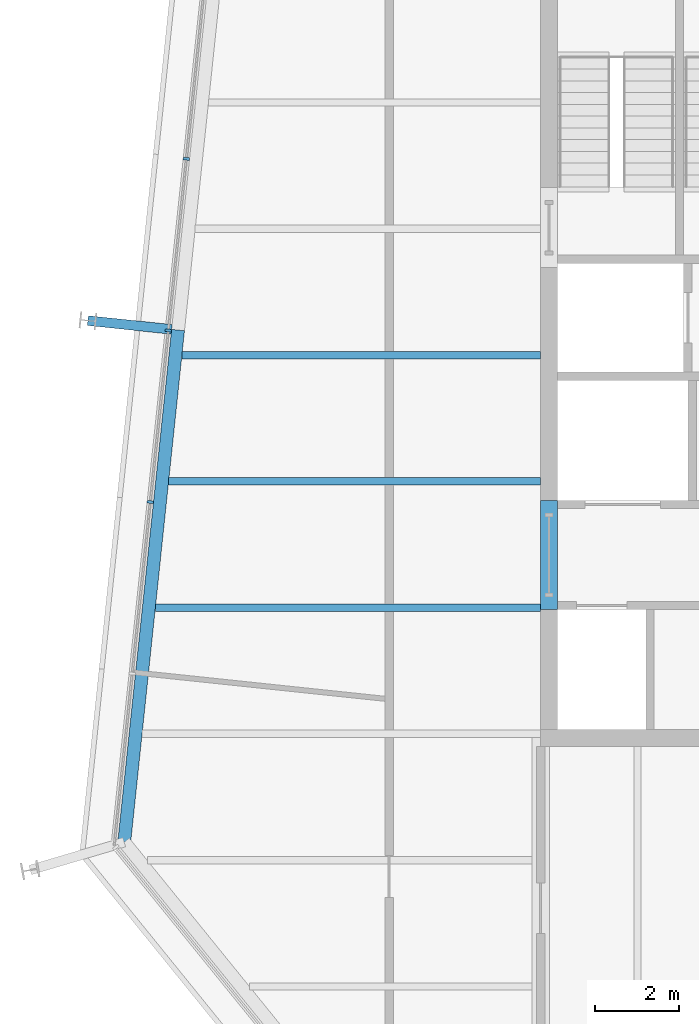
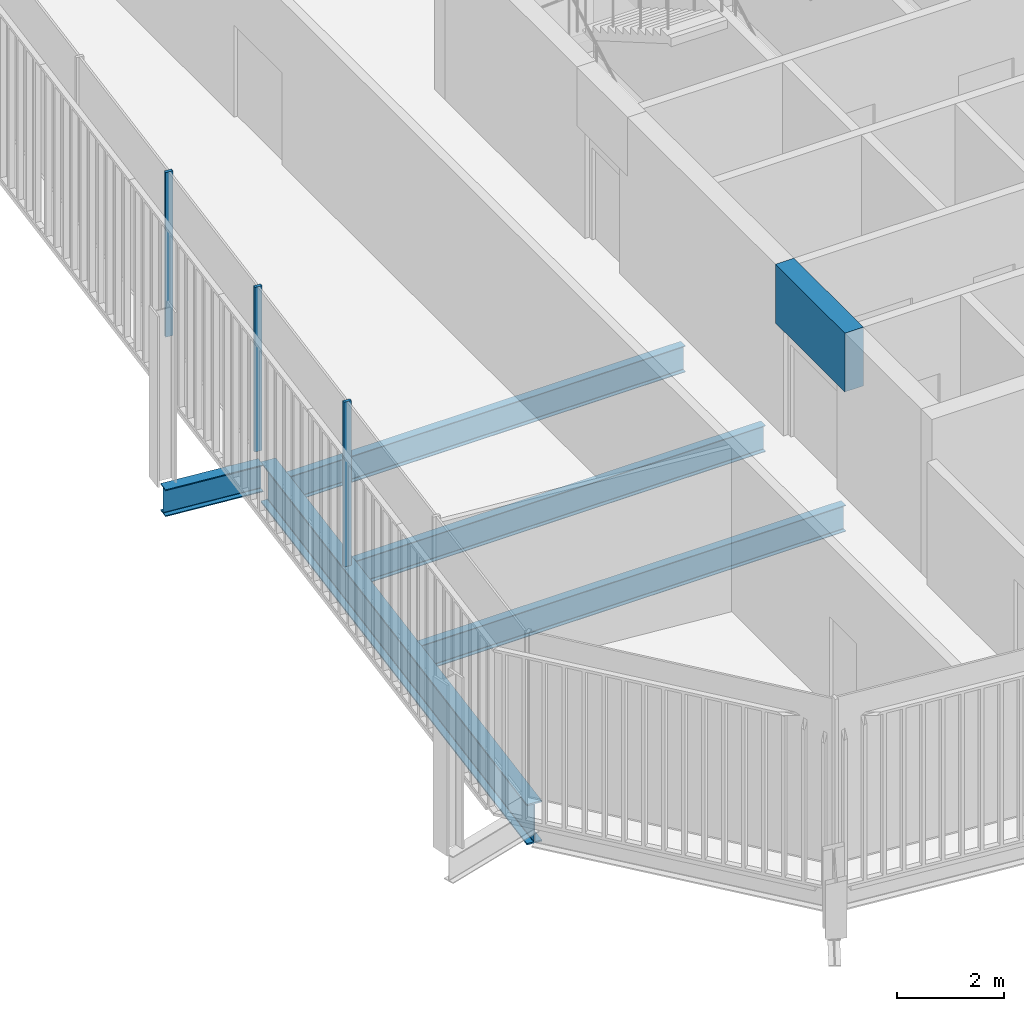
# One storey, part 6 of 20: 6 beams, 3 members, 1 element without a shape of its own.
"""IFC4 building model written with IfcOpenShell, lengths in metres."""

import ifcopenshell
import ifcopenshell.guid

model = None  # the IFC model being written
_history = None  # IfcOwnerHistory: only IFC2X3 demands one
_inside = {}  # id of a spatial element -> (the spatial element, [elements in it])
_under = {}  # id of a project, library or spatial element -> (it, [spatial elements below it])
_declared = {}  # id of a project -> (the project, [libraries it declares])
_typed = {}  # id of a type object -> (the type object, [elements of that type])
_made_of = {}  # id of a material, layer set ... -> (it, [elements and type objects made of it])


def new_model(schema):
    """Start an empty IFC model of exactly this schema.

    Asked for "IFC4X3", IfcOpenShell would pick the latest addendum, in which some entities
    have other attributes; the version numbers below select the first issue.
    IFC2X3 requires an IfcOwnerHistory on every rooted entity: one is made here for all.
    """
    global model, _history
    if schema == "IFC4X3":
        model = ifcopenshell.file(schema_version=(4, 3, 0, 0))
    else:
        model = ifcopenshell.file(schema=schema)
    _inside.clear()
    _under.clear()
    _declared.clear()
    _typed.clear()
    _made_of.clear()
    _history = None
    if model.schema == "IFC2X3":
        org = make("IfcOrganization", Name="unknown")
        user = make(
            "IfcPersonAndOrganization",
            ThePerson=make("IfcPerson", FamilyName="unknown"),
            TheOrganization=org,
        )
        app = make(
            "IfcApplication",
            ApplicationDeveloper=org,
            Version="unknown",
            ApplicationFullName="unknown",
            ApplicationIdentifier="unknown",
        )
        _history = make(
            "IfcOwnerHistory",
            OwningUser=user,
            OwningApplication=app,
            ChangeAction="ADDED",
            CreationDate=0,
        )
    return model


def make(cls, **values):
    """One entity of the class cls with the attributes given. An attribute that is None is left unset."""
    return model.create_entity(
        cls, **{name: value for name, value in values.items() if value is not None}
    )


def rooted(cls, **values):
    """An entity with a GlobalId (a new one), such as an element, a storey or a relation."""
    return make(cls, GlobalId=ifcopenshell.guid.new(), OwnerHistory=_history, **values)


def si_unit(unit_type, name, prefix=None):
    """IfcSIUnit, for example si_unit("LENGTHUNIT", "METRE", prefix="MILLI")."""
    return make("IfcSIUnit", UnitType=unit_type, Prefix=prefix, Name=name)


def assignment(units):
    """IfcUnitAssignment: the units of a project."""
    return None if units is None else make("IfcUnitAssignment", Units=units)


def point(xyz):
    """IfcCartesianPoint."""
    return None if xyz is None else make("IfcCartesianPoint", Coordinates=xyz)


def direction(xyz):
    """IfcDirection."""
    return None if xyz is None else make("IfcDirection", DirectionRatios=xyz)


def frame(location, z_axis=None, x_axis=None):
    """IfcAxis2Placement3D, a coordinate frame: its origin and axes. An axis left out is left unset."""
    return make(
        "IfcAxis2Placement3D",
        Location=point(location),
        Axis=direction(z_axis),
        RefDirection=direction(x_axis),
    )


def frame_2d(location, x_axis=None):
    """IfcAxis2Placement2D, a coordinate frame in the plane: its origin and x axis."""
    return make(
        "IfcAxis2Placement2D", Location=point(location), RefDirection=direction(x_axis)
    )


def origin():
    """The frame at (0, 0, 0) with its axes left unset."""
    return frame((0.0, 0.0, 0.0))


def origin_2d():
    """The frame at (0, 0) in the plane with its x axis left unset."""
    return frame_2d((0.0, 0.0))


def place(relative_to, where):
    """IfcLocalPlacement: puts the frame where relative to a parent placement (None: the world)."""
    return make(
        "IfcLocalPlacement", PlacementRelTo=relative_to, RelativePlacement=where
    )


def context(
    kind, dimensions, precision=None, world=None, true_north=None, identifier=None
):
    """IfcGeometricRepresentationContext, for example the 3D "Model" context."""
    return make(
        "IfcGeometricRepresentationContext",
        ContextIdentifier=identifier,
        ContextType=kind,
        CoordinateSpaceDimension=dimensions,
        Precision=precision,
        WorldCoordinateSystem=world,
        TrueNorth=true_north,
    )


def subcontext(parent, identifier, kind, view, scale=None):
    """IfcGeometricRepresentationSubContext, for example "Body" below "Model"."""
    return make(
        "IfcGeometricRepresentationSubContext",
        ContextIdentifier=identifier,
        ContextType=kind,
        ParentContext=parent,
        TargetScale=scale,
        TargetView=view,
    )


def project(units=None, contexts=None):
    """IfcProject with its units and contexts."""
    return rooted(
        "IfcProject",
        Name="project",
        RepresentationContexts=contexts,
        UnitsInContext=assignment(units),
    )


def spatial(cls, under=None, at=None, **own):
    """A site, building, storey or space (cls), placed at a placement, below another one or the project."""
    s = rooted(cls, ObjectPlacement=at, **own)
    if under is not None:
        _under.setdefault(under.id(), (under, []))[1].append(s)
    return s


def profile(cls, at=None, kind="AREA", **sizes):
    """A parametric profile (cls). Its sizes go by their IFC names, for example OverallWidth=200.0."""
    return make(cls, ProfileType=kind, Position=at, **sizes)


def rectangle(**sizes):
    """IfcRectangleProfileDef."""
    return profile("IfcRectangleProfileDef", **sizes)


def i_section(**sizes):
    """IfcIShapeProfileDef."""
    return profile("IfcIShapeProfileDef", **sizes)


def extrude(swept, where, along, depth):
    """IfcExtrudedAreaSolid: the profile swept, set in the frame where, extruded along a direction by depth."""
    return make(
        "IfcExtrudedAreaSolid",
        SweptArea=swept,
        Position=where,
        ExtrudedDirection=direction(along),
        Depth=depth,
    )


def shape(context_of_items, identifier, shape_type, items):
    """IfcShapeRepresentation: the items that make up one representation, for example the "Body"."""
    return make(
        "IfcShapeRepresentation",
        ContextOfItems=context_of_items,
        RepresentationIdentifier=identifier,
        RepresentationType=shape_type,
        Items=items,
    )


def material(Name=None, Category=None):
    """IfcMaterial."""
    return make("IfcMaterial", Name=Name, Category=Category)


def layer(
    of_material, thickness, ventilated=None, Name=None, Category=None, Priority=None
):
    """IfcMaterialLayer: one layer of a wall or slab, of a material (None: an air gap)."""
    return make(
        "IfcMaterialLayer",
        Material=of_material,
        LayerThickness=thickness,
        IsVentilated=ventilated,
        Name=Name,
        Category=Category,
        Priority=Priority,
    )


def layer_set(layers, Name=None):
    """IfcMaterialLayerSet."""
    return make("IfcMaterialLayerSet", MaterialLayers=layers, LayerSetName=Name)


def material_profile(
    of_material, cross_section, Name=None, Category=None, Priority=None
):
    """IfcMaterialProfile: a cross section and its material."""
    return make(
        "IfcMaterialProfile",
        Name=Name,
        Material=of_material,
        Profile=cross_section,
        Priority=Priority,
        Category=Category,
    )


def profile_set(profiles, Name=None, composite=None):
    """IfcMaterialProfileSet."""
    return make(
        "IfcMaterialProfileSet",
        Name=Name,
        MaterialProfiles=profiles,
        CompositeProfile=composite,
    )


def made_of(thing, what):
    """Note that an element or type object is made of a material, layer set ...; save() writes the relation."""
    if what is not None:
        _made_of.setdefault(what.id(), (what, []))[1].append(thing)
    return thing


def type_object(cls, material=None, **own):
    """A type object (cls), such as IfcWallType, which elements share."""
    return made_of(rooted(cls, **own), material)


def element(
    cls,
    number,
    at=None,
    inside=None,
    cuts=None,
    type_object=None,
    material=None,
    context=None,
    identifier="Body",
    shape_type=None,
    held_by="IfcProductDefinitionShape",
    body=None,
    shapes=None,
    **own,
):
    """One element of the class cls, such as IfcWall. Its Tag is "e" and its number.

    at: its placement. inside: the storey or other place that contains it. cuts: it is an
    opening in that element (IfcRelVoidsElement). A single representation is given by context,
    identifier, shape_type and body (its items); several are given by shapes. held_by: the class
    of the entity that holds the representations. save() writes the other relations.
    """
    e = rooted(cls, Tag="e%d" % number, ObjectPlacement=at, **own)
    if body is not None:
        shapes = [shape(context, identifier, shape_type, body)]
    if shapes is not None:
        e.Representation = make(held_by, Representations=shapes)
    if inside is not None:
        _inside.setdefault(inside.id(), (inside, []))[1].append(e)
    if cuts is not None:
        rooted(
            "IfcRelVoidsElement", RelatingBuildingElement=cuts, RelatedOpeningElement=e
        )
    if type_object is not None:
        _typed.setdefault(type_object.id(), (type_object, []))[1].append(e)
    return made_of(e, material)


def aggregate(whole, parts):
    """IfcRelAggregates: a whole, such as a stair, and the parts it consists of."""
    return rooted("IfcRelAggregates", RelatingObject=whole, RelatedObjects=parts)


def save(model, path):
    """Write the relations noted so far, then the file.

    IfcRelAggregates (storeys below a building ...), IfcRelContainedInSpatialStructure (elements
    in a storey), IfcRelDefinesByType, IfcRelAssociatesMaterial and IfcRelDeclares: one each for
    every whole, place, type object, material and project.
    """
    for whole, parts in _under.values():
        aggregate(whole, parts)
    for where, things in _inside.values():
        rooted(
            "IfcRelContainedInSpatialStructure",
            RelatedElements=things,
            RelatingStructure=where,
        )
    for kind, things in _typed.values():
        rooted("IfcRelDefinesByType", RelatedObjects=things, RelatingType=kind)
    for what, things in _made_of.values():
        rooted("IfcRelAssociatesMaterial", RelatedObjects=things, RelatingMaterial=what)
    for by, libraries in _declared.values():
        rooted("IfcRelDeclares", RelatingContext=by, RelatedDefinitions=libraries)
    model.write(path)


model = new_model("IFC4")

# Units and contexts
model_context = context("Model", 3, precision=1e-05, world=origin(), true_north=direction((0.0, 1.0)))
body_context = subcontext(model_context, "Body", "Model", "MODEL_VIEW")
ifc_project = project(units=[si_unit("LENGTHUNIT", "METRE"), si_unit("AREAUNIT", "SQUARE_METRE"), si_unit("VOLUMEUNIT", "CUBIC_METRE"), si_unit("PLANEANGLEUNIT", "RADIAN"), si_unit("MASSUNIT", "GRAM", prefix="KILO")], contexts=[model_context])

# Site, building, storey
site_placement = place(None, origin())
site = spatial("IfcSite", under=ifc_project, at=site_placement, CompositionType="ELEMENT")
building_placement = place(site_placement, origin())
building = spatial("IfcBuilding", under=site, at=building_placement, Name="Millrace Tower", CompositionType="ELEMENT")
storey_placement = place(building_placement, frame((0.0, 0.0, 287.699951171875)))
storey = spatial("IfcBuildingStorey", under=building, at=storey_placement, Name="L66", CompositionType="ELEMENT", Elevation=287.699951171875)

# Curtain wall, members
ifc_material_1 = material(Name="Aluminium and glass", Category="aluminium")
ifc_layer = layer(ifc_material_1, 0.14990234375)
ifc_layer_set = layer_set([ifc_layer], Name="Aluminium and glass")
curtain_wall_type = type_object("IfcCurtainWallType", Name="CW-1 office vision curtain wall", PredefinedType="NOTDEFINED", material=ifc_layer_set)
curtain_wall_placement = place(storey_placement, origin())
curtain_wall = element("IfcCurtainWall", 1, at=curtain_wall_placement, inside=storey, type_object=curtain_wall_type, Name="Curtain wall E-F08 L66", PredefinedType="NOTDEFINED")
ifc_material_2 = material(Name="Aluminium", Category="aluminium")
ifc_material_profile_1 = material_profile(ifc_material_2, rectangle(XDim=0.06494140625, YDim=0.14990234375, at=origin_2d()))
ifc_profile_set_1 = profile_set([ifc_material_profile_1], Name="Aluminium")
member_type = type_object("IfcMemberType", Name="CW-1 office vision curtain wall mullion", PredefinedType="MULLION", material=ifc_profile_set_1)
member_1_placement = place(storey_placement, frame((-22.717529296875, 4.664794921875, 0.14013671875), z_axis=(0.0, 0.0, 1.0), x_axis=(-0.104528455196, -0.994521896217, 0.0)))
member_1 = element("IfcMember", 2, at=member_1_placement, type_object=member_type, Name="CW1 mullion E-F08.6", PredefinedType="MULLION", context=body_context, shape_type="SweptSolid", body=[
    extrude(rectangle(XDim=0.06494140625, YDim=0.14990234375, at=origin_2d()), origin(), (0.0, 0.0, 1.0), 3.760009765625),
])
member_2_placement = place(storey_placement, frame((-23.146240234375, 0.587158203125, 0.14013671875), z_axis=(0.0, 0.0, 1.0), x_axis=(-0.104528455196, -0.994521896217, 0.0)))
member_2 = element("IfcMember", 3, at=member_2_placement, type_object=member_type, Name="CW1 mullion E-F08.7", PredefinedType="MULLION", context=body_context, shape_type="SweptSolid", body=[
    extrude(rectangle(XDim=0.06494140625, YDim=0.14990234375, at=origin_2d()), origin(), (0.0, 0.0, 1.0), 3.760009765625),
])
member_3_placement = place(storey_placement, frame((-23.57470703125, -3.490234375, 0.14013671875), z_axis=(0.0, 0.0, 1.0), x_axis=(-0.104528455196, -0.994521896217, 0.0)))
member_3 = element("IfcMember", 4, at=member_3_placement, type_object=member_type, Name="CW1 mullion E-F08.8", PredefinedType="MULLION", context=body_context, shape_type="SweptSolid", body=[
    extrude(rectangle(XDim=0.06494140625, YDim=0.14990234375, at=origin_2d()), origin(), (0.0, 0.0, 1.0), 3.760009765625),
])
aggregate(curtain_wall, [member_1, member_2, member_3])

# Beams
ifc_material_3 = material(Name="Concrete C60", Category="concrete")
ifc_material_profile_2 = material_profile(ifc_material_3, rectangle(XDim=0.39990234375, YDim=1.340087890625, at=origin_2d()))
ifc_profile_set_2 = profile_set([ifc_material_profile_2], Name="Concrete C60")
beam_type_1 = type_object("IfcBeamType", Name="Coupling beam 400 x 1340 Concrete C60, 2000 opening", PredefinedType="BEAM", material=ifc_profile_set_2)
beam_1_placement = place(storey_placement, frame((-14.10009765625, -6.050048828125, 3.070068359375), z_axis=(0.0, 1.0, 0.0), x_axis=(-1.0, 0.0, 0.0)))
element("IfcBeam", 5, at=beam_1_placement, inside=storey, type_object=beam_type_1, Name="Coupling beam W L66", PredefinedType="BEAM", context=body_context, shape_type="SweptSolid", body=[
    extrude(rectangle(XDim=0.39990234375, YDim=1.340087890625, at=origin_2d()), origin(), (0.0, 0.0, 1.0), 2.60009765625),
])
ifc_material_4 = material(Name="Steel ASTM A992 Grade 50", Category="steel")
ifc_material_profile_3 = material_profile(ifc_material_4, i_section(OverallWidth=0.177978515625, OverallDepth=0.599365234375, WebThickness=0.010009765625, FlangeThickness=0.012939453125, FilletRadius=0.012939453125, at=origin_2d()))
ifc_profile_set_3 = profile_set([ifc_material_profile_3], Name="Steel ASTM A992 Grade 50")
beam_type_2 = type_object("IfcBeamType", Name="Floor beam W24x55", PredefinedType="JOIST", material=ifc_profile_set_3)
beam_2_placement = place(storey_placement, frame((-23.4541015625, -6.0, -0.459716796875), z_axis=(1.0, 0.0, 0.0), x_axis=(0.0, 1.0, 0.0)))
element("IfcBeam", 6, at=beam_2_placement, inside=storey, type_object=beam_type_2, Name="BM-E-L66-S1-S009", PredefinedType="JOIST", context=body_context, shape_type="SweptSolid", body=[
    extrude(i_section(OverallWidth=0.177978515625, OverallDepth=0.599365234375, WebThickness=0.010009765625, FlangeThickness=0.012939453125, FilletRadius=0.012939453125, at=origin_2d()), origin(), (0.0, 0.0, 1.0), 9.154052734375),
])
beam_3_placement = place(storey_placement, frame((-23.138916015625, -3.0, -0.459716796875), z_axis=(1.0, 0.0, 0.0), x_axis=(0.0, 1.0, 0.0)))
element("IfcBeam", 7, at=beam_3_placement, inside=storey, type_object=beam_type_2, Name="BM-E-L66-S1-S012", PredefinedType="JOIST", context=body_context, shape_type="SweptSolid", body=[
    extrude(i_section(OverallWidth=0.177978515625, OverallDepth=0.599365234375, WebThickness=0.010009765625, FlangeThickness=0.012939453125, FilletRadius=0.012939453125, at=origin_2d()), origin(), (0.0, 0.0, 1.0), 8.8388671875),
])
beam_4_placement = place(storey_placement, frame((-22.823486328125, 0.0, -0.459716796875), z_axis=(1.0, 0.0, 0.0), x_axis=(0.0, 1.0, 0.0)))
element("IfcBeam", 8, at=beam_4_placement, inside=storey, type_object=beam_type_2, Name="BM-E-L66-S1-S015", PredefinedType="JOIST", context=body_context, shape_type="SweptSolid", body=[
    extrude(i_section(OverallWidth=0.177978515625, OverallDepth=0.599365234375, WebThickness=0.010009765625, FlangeThickness=0.012939453125, FilletRadius=0.012939453125, at=origin_2d()), origin(), (0.0, 0.0, 1.0), 8.5234375),
])
ifc_material_5 = material(Name="Steel ASTM A992 Grade 50", Category="steel")
ifc_material_profile_4 = material_profile(ifc_material_5, i_section(OverallWidth=0.23046875, OverallDepth=0.6171875, WebThickness=0.01318359375, FlangeThickness=0.022216796875, FilletRadius=0.012939453125, at=origin_2d()))
ifc_profile_set_4 = profile_set([ifc_material_profile_4], Name="Steel ASTM A992 Grade 50")
beam_type_3 = type_object("IfcBeamType", Name="Link beam W24x94", PredefinedType="BEAM", material=ifc_profile_set_4)
beam_5_placement = place(storey_placement, frame((-23.068115234375, 0.61181640625, -0.468505859375), z_axis=(-0.994526834051, 0.104481464157, 0.0), x_axis=(-0.104481464157, -0.994526834051, 0.0)))
element("IfcBeam", 9, at=beam_5_placement, inside=storey, type_object=beam_type_3, Name="LNK-E-L66-S1-02", PredefinedType="BEAM", context=body_context, shape_type="SweptSolid", body=[
    extrude(i_section(OverallWidth=0.23046875, OverallDepth=0.6171875, WebThickness=0.01318359375, FlangeThickness=0.022216796875, FilletRadius=0.012939453125, at=origin_2d()), origin(), (0.0, 0.0, 1.0), 2.000244140625),
])
ifc_material_6 = material(Name="Steel ASTM A992 Grade 50", Category="steel")
ifc_material_profile_5 = material_profile(ifc_material_6, i_section(OverallWidth=0.307373046875, OverallDepth=0.927001953125, WebThickness=0.01953125, FlangeThickness=0.031982421875, FilletRadius=0.01904296875, at=origin_2d()))
ifc_profile_set_5 = profile_set([ifc_material_profile_5], Name="Steel ASTM A992 Grade 50")
beam_type_4 = type_object("IfcBeamType", Name="Ring beam medium span W36x194", PredefinedType="SPANDREL", material=ifc_profile_set_5)
beam_6_placement = place(storey_placement, frame((-24.1943359375, -11.57373046875, -0.62353515625), z_axis=(0.104527955888, 0.994521948696, 0.0), x_axis=(-0.994521948696, 0.104527955888, 0.0)))
element("IfcBeam", 10, at=beam_6_placement, inside=storey, type_object=beam_type_4, Name="RNG-E-L66-S1-01", PredefinedType="SPANDREL", context=body_context, shape_type="SweptSolid", body=[
    extrude(i_section(OverallWidth=0.307373046875, OverallDepth=0.927001953125, WebThickness=0.01953125, FlangeThickness=0.031982421875, FilletRadius=0.01904296875, at=origin_2d()), origin(), (0.0, 0.0, 1.0), 12.236572265625),
])

save(model, "model.ifc")
